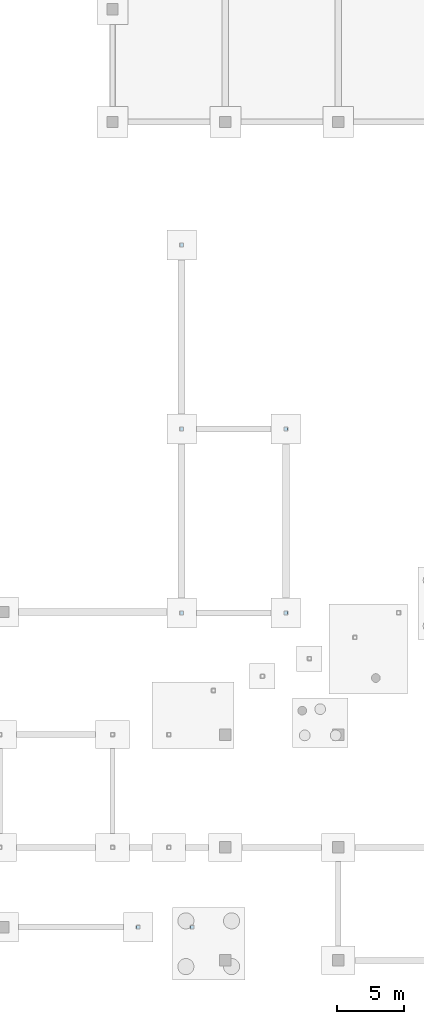
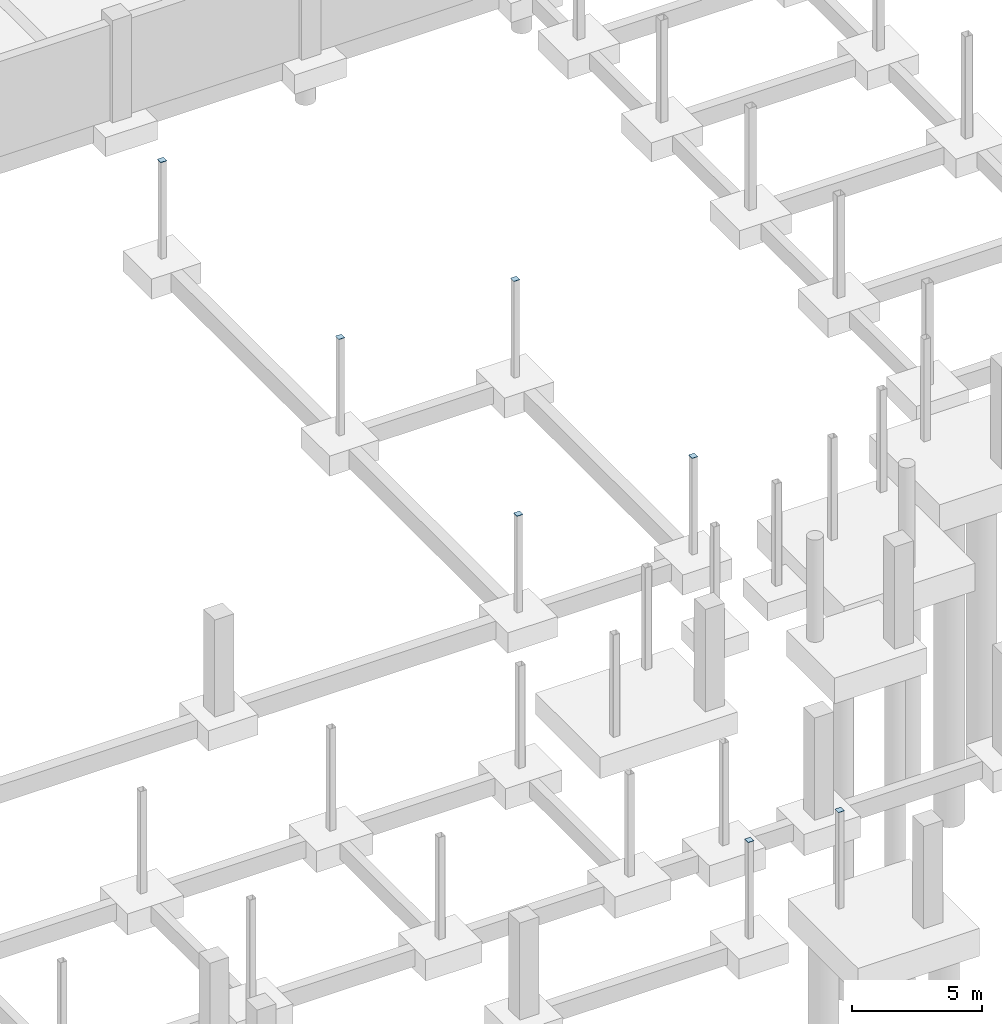
# One storey, part 32 of 44: 7 plates.
"""IFC4 building model written with IfcOpenShell, lengths in metres."""

from ifc_helpers import new_model, si_unit, direction, frame, origin, origin_2d, place, context, subcontext, project, spatial, rectangle, extrude, material, layer, layer_set, type_object, element, save


model = new_model("IFC4")

# Units and contexts
model_context = context("Model", 3, precision=1e-05, world=origin(), true_north=direction((0.0, 1.0)))
body_context = subcontext(model_context, "Body", "Model", "MODEL_VIEW")
ifc_project = project(units=[si_unit("LENGTHUNIT", "METRE"), si_unit("AREAUNIT", "SQUARE_METRE"), si_unit("VOLUMEUNIT", "CUBIC_METRE"), si_unit("PLANEANGLEUNIT", "RADIAN"), si_unit("MASSUNIT", "GRAM", prefix="KILO")], contexts=[model_context])

# Site, building, storey
site_placement = place(None, origin())
site = spatial("IfcSite", under=ifc_project, at=site_placement, CompositionType="ELEMENT")
building_placement = place(site_placement, origin())
building = spatial("IfcBuilding", under=site, at=building_placement, Name="Kisaragi Civic Commons", CompositionType="ELEMENT")
storey_placement = place(building_placement, frame((0.0, 0.0, -4.800048828125)))
storey = spatial("IfcBuildingStorey", under=building, at=storey_placement, Name="B1", CompositionType="ELEMENT", Elevation=-4.800048828125)

# Plates
ifc_material = material(Name="Steel SN490 (SN490B)", Category="steel")
ifc_layer = layer(ifc_material, 0.01611328125, Name="Steel SN490 (SN490B)", Category="steel")
ifc_layer_set = layer_set([ifc_layer], Name="Steel SN490 (SN490B)")
plate_type = type_object("IfcPlateType", Name="CP-04", PredefinedType="SHEET", material=ifc_layer_set)
for number, where, z_axis, x_axis, name in (
    (1, (99.100341796875, 2.467041015625, 4.5390625), (0.0, 0.0, 1.0), (1.0, 0.0, 0.0), "B1 column cap plate CP-04 (99.1,2.5)"),
    (2, (102.34033203125, 25.85400390625, 4.5390625), (0.0, 0.0, 1.0), (1.0, 0.0, 0.0), "B1 column cap plate CP-04 (102.3,25.9)"),
    (3, (102.34033203125, 39.550048828125, 4.5390625), (0.0, 0.0, 1.0), (1.0, 0.0, 0.0), "B1 column cap plate CP-04 (102.3,39.5)"),
    (4, (102.34033203125, 53.24609375, 4.5390625), (0.0, 0.0, 1.0), (1.0, 0.0, 0.0), "B1 column cap plate CP-04 (102.3,53.2)"),
    (5, (103.11962890625, 2.467041015625, 4.5390625), (0.0, 0.0, 1.0), (1.0, 0.0, 0.0), "B1 column cap plate CP-04 (103.1,2.5)"),
    (6, (110.110107421875, 25.85400390625, 4.5390625), (0.0, 0.0, 1.0), (1.0, 0.0, 0.0), "B1 column cap plate CP-04 (110.1,25.9)"),
    (7, (110.110107421875, 39.550048828125, 4.5390625), (0.0, 0.0, 1.0), (1.0, 0.0, 0.0), "B1 column cap plate CP-04 (110.1,39.5)"),
):
    element("IfcPlate", number, at=place(storey_placement, frame(where, z_axis=z_axis, x_axis=x_axis)), inside=storey, type_object=plate_type, Name=name, PredefinedType="SHEET", context=body_context, shape_type="SweptSolid", body=[
        extrude(rectangle(XDim=0.264892578125, YDim=0.264892578125, at=origin_2d()), origin(), (0.0, 0.0, 1.0), 0.01611328125),
    ])

save(model, "model.ifc")
